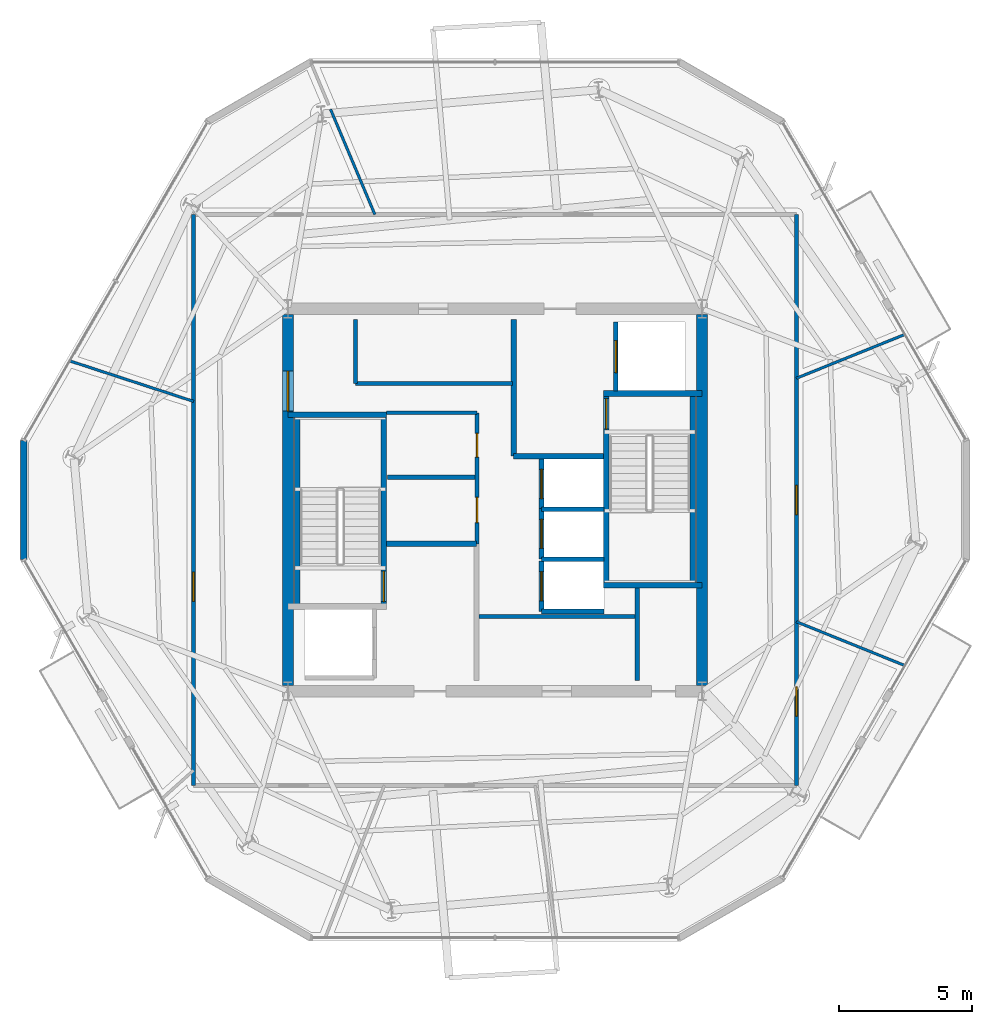
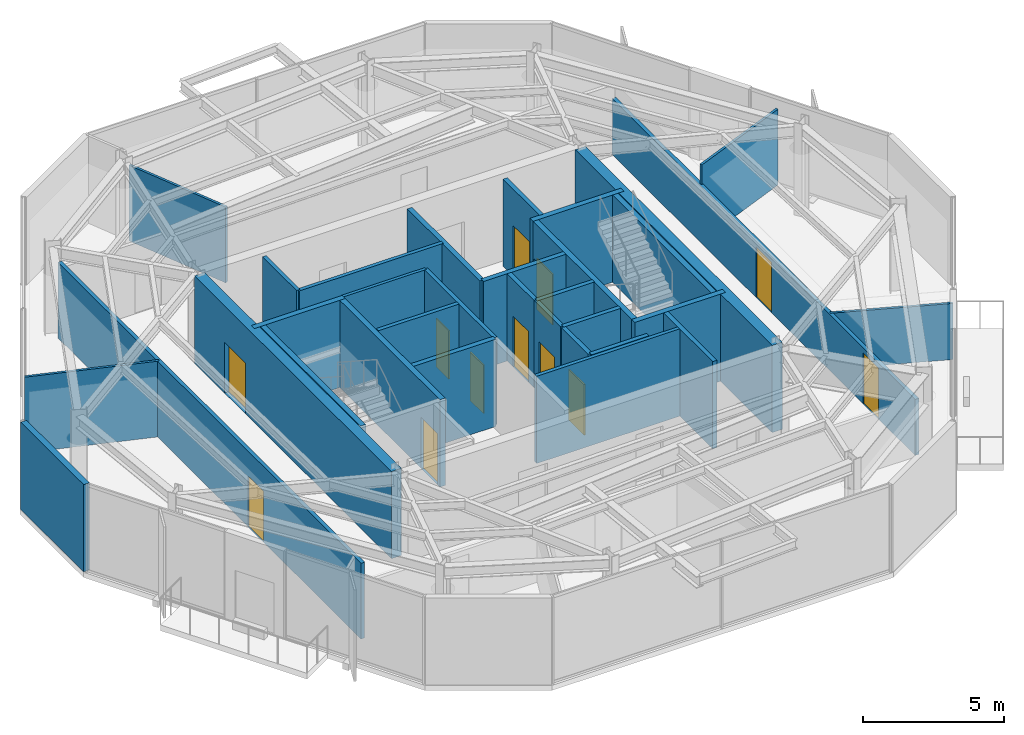
# One storey, part 6 of 11: 33 walls, 12 doors, 12 openings.
"""IFC4 building model written with IfcOpenShell, lengths in metres."""

from ifc_helpers import new_model, si_unit, direction, frame, frame_2d, origin, place, context, subcontext, project, spatial, rectangle, extrude, material, layer, layer_set, type_object, element, fill, save


model = new_model("IFC4")

# Units and contexts
model_context = context("Model", 3, precision=1e-05, world=origin(), true_north=direction((0.0, 1.0)))
body_context = subcontext(model_context, "Body", "Model", "MODEL_VIEW")
ifc_project = project(units=[si_unit("LENGTHUNIT", "METRE"), si_unit("AREAUNIT", "SQUARE_METRE"), si_unit("VOLUMEUNIT", "CUBIC_METRE"), si_unit("PLANEANGLEUNIT", "RADIAN"), si_unit("MASSUNIT", "GRAM", prefix="KILO")], contexts=[model_context])

# Site, building, storey
site_placement = place(None, origin())
site = spatial("IfcSite", under=ifc_project, at=site_placement, CompositionType="ELEMENT")
building_placement = place(site_placement, origin())
building = spatial("IfcBuilding", under=site, at=building_placement, Name="Kranzbogen Civic Tower", CompositionType="ELEMENT")
storey_placement = place(building_placement, frame((0.0, 0.0, 266.199951171875)))
storey = spatial("IfcBuildingStorey", under=building, at=storey_placement, Name="L64", CompositionType="ELEMENT", Elevation=266.199951171875)

# Walls
ifc_material_1 = material(Name="Double-Stud Acoustic Gypsum Partition")
ifc_layer_1 = layer(ifc_material_1, 0.14990234375, Name="Double-Stud Acoustic Gypsum Partition")
ifc_layer_set_1 = layer_set([ifc_layer_1], Name="Double-Stud Acoustic Gypsum Partition")
wall_type_1 = type_object("IfcWallType", Name="Acoustic Corridor and Clinical Partition 150 mm", PredefinedType="PARTITIONING", material=ifc_layer_set_1)
wall_1_placement = place(storey_placement, frame((24.39990234375, 20.610107421875, 0.0), z_axis=(0.0, 0.0, 1.0), x_axis=(1.0, 0.0, 0.0)))
element("IfcWall", 1, at=wall_1_placement, inside=storey, type_object=wall_type_1, Name="L64 records zone North wall", PredefinedType="PARTITIONING", context=body_context, shape_type="SweptSolid", body=[
    extrude(rectangle(XDim=5.900146484375, YDim=0.14990234375, at=frame_2d((2.9501953125, 0.0))), origin(), (0.0, 0.0, 1.0), 3.780029296875),
])
wall_2_placement = place(storey_placement, frame((19.75, 29.389892578125, 0.0), z_axis=(0.0, 0.0, 1.0), x_axis=(1.0, 0.0, 0.0)))
element("IfcWall", 2, at=wall_2_placement, inside=storey, type_object=wall_type_1, Name="L64 digital comms South wall", PredefinedType="PARTITIONING", context=body_context, shape_type="SweptSolid", body=[
    extrude(rectangle(XDim=5.89990234375, YDim=0.14990234375, at=frame_2d((2.949951171875, 0.0))), origin(), (0.0, 0.0, 1.0), 3.780029296875),
])
wall_3_placement = place(storey_placement, frame((19.75, 29.389892578125, 0.0), z_axis=(0.0, 0.0, 1.0), x_axis=(0.0, 1.0, 0.0)))
element("IfcWall", 3, at=wall_3_placement, inside=storey, type_object=wall_type_1, Name="L64 digital comms West wall", PredefinedType="PARTITIONING", context=body_context, shape_type="SweptSolid", body=[
    extrude(rectangle(XDim=2.41015625, YDim=0.14990234375, at=frame_2d((1.205078125, 0.0))), origin(), (0.0, 0.0, 1.0), 3.780029296875),
])

# Wall, openings, doors
wall_4_placement = place(storey_placement, frame((36.35009765625, 35.75, 0.0), z_axis=(0.0, 0.0, 1.0), x_axis=(0.0, -1.0, 0.0)))
wall_4 = element("IfcWall", 4, at=wall_4_placement, inside=storey, type_object=wall_type_1, Name="L64 corridor partition 02", PredefinedType="PARTITIONING", context=body_context, shape_type="SweptSolid", body=[
    extrude(rectangle(XDim=21.5, YDim=0.14990234375, at=frame_2d((10.75, 0.0))), origin(), (0.0, 0.0, 1.0), 2.429931640625),
])
opening_1_placement = place(wall_4_placement, frame((17.787109375, 0.0, 0.0)))
opening_1 = element("IfcOpeningElement", 5, at=opening_1_placement, cuts=wall_4, Name="Opening D-COR60", PredefinedType="OPENING", context=body_context, shape_type="SweptSolid", body=[
    extrude(rectangle(XDim=1.10009765625, YDim=2.199951171875, at=frame_2d((0.550048828125, 1.10009765625))), frame((0.0, 0.0849609375, 0.0), z_axis=(0.0, -1.0, 0.0), x_axis=(1.0, 0.0, 0.0)), (0.0, 0.0, 1.0), 0.169921875),
])
opening_2_placement = place(wall_4_placement, frame((10.199951171875, 0.0, 0.0)))
opening_2 = element("IfcOpeningElement", 6, at=opening_2_placement, cuts=wall_4, Name="Opening D-COR60", PredefinedType="OPENING", context=body_context, shape_type="SweptSolid", body=[
    extrude(rectangle(XDim=1.10009765625, YDim=2.199951171875, at=frame_2d((0.550048828125, 1.10009765625))), frame((0.0, 0.0849609375, 0.0), z_axis=(0.0, -1.0, 0.0), x_axis=(1.0, 0.0, 0.0)), (0.0, 0.0, 1.0), 0.169921875),
])
ifc_material_2 = material(Name="Oak Timber and Fire Core", Category="wood")
door_type_1 = type_object("IfcDoorType", Name="Corridor Acoustic Fire Door 1100x2200", OperationType="NOTDEFINED", PredefinedType="DOOR", material=ifc_material_2)
door_1_placement = place(opening_1_placement, origin())
door_1 = element("IfcDoor", 7, at=door_1_placement, inside=storey, type_object=door_type_1, Name="L64 Staff Tea Pantry door", OperationType="SINGLE_SWING_LEFT", OverallHeight=2.199951171875, OverallWidth=1.10009765625, PredefinedType="DOOR", context=body_context, shape_type="SweptSolid", body=[
    extrude(rectangle(XDim=1.10009765625, YDim=2.199951171875, at=frame_2d((0.550048828125, 1.10009765625))), frame((0.0, 0.02490234375, 0.0), z_axis=(0.0, -1.0, 0.0), x_axis=(1.0, 0.0, 0.0)), (0.0, 0.0, 1.0), 0.050048828125),
])
fill(opening_1, door_1)
door_2_placement = place(opening_2_placement, origin())
door_2 = element("IfcDoor", 8, at=door_2_placement, inside=storey, type_object=door_type_1, Name="L64 Hospitality Catering Kitchen door", OperationType="SINGLE_SWING_RIGHT", OverallHeight=2.199951171875, OverallWidth=1.10009765625, PredefinedType="DOOR", context=body_context, shape_type="SweptSolid", body=[
    extrude(rectangle(XDim=1.10009765625, YDim=2.199951171875, at=frame_2d((0.550048828125, 1.10009765625))), frame((0.0, 0.02490234375, 0.0), z_axis=(0.0, -1.0, 0.0), x_axis=(1.0, 0.0, 0.0)), (0.0, 0.0, 1.0), 0.050048828125),
])
fill(opening_2, door_2)

# Wall, opening, door
wall_5_placement = place(storey_placement, frame((13.64990234375, 14.25, 0.0), z_axis=(0.0, 0.0, 1.0), x_axis=(0.0, 1.0, 0.0)))
wall_5 = element("IfcWall", 9, at=wall_5_placement, inside=storey, type_object=wall_type_1, Name="L64 corridor partition 04", PredefinedType="PARTITIONING", context=body_context, shape_type="SweptSolid", body=[
    extrude(rectangle(XDim=21.5, YDim=0.14990234375, at=frame_2d((10.75, 0.0))), origin(), (0.0, 0.0, 1.0), 3.280029296875),
])
opening_3_placement = place(wall_5_placement, frame((6.93505859375, 0.0, 0.0)))
opening_3 = element("IfcOpeningElement", 10, at=opening_3_placement, cuts=wall_5, Name="Opening D-COR60", PredefinedType="OPENING", context=body_context, shape_type="SweptSolid", body=[
    extrude(rectangle(XDim=1.10009765625, YDim=2.199951171875, at=frame_2d((0.550048828125, 1.10009765625))), frame((0.0, 0.0849609375, 0.0), z_axis=(0.0, -1.0, 0.0), x_axis=(1.0, 0.0, 0.0)), (0.0, 0.0, 1.0), 0.169921875),
])
door_3_placement = place(opening_3_placement, origin())
door_3 = element("IfcDoor", 11, at=door_3_placement, inside=storey, type_object=door_type_1, Name="L64 Operations Security Control Room door", OperationType="SINGLE_SWING_RIGHT", OverallHeight=2.199951171875, OverallWidth=1.10009765625, PredefinedType="DOOR", context=body_context, shape_type="SweptSolid", body=[
    extrude(rectangle(XDim=1.10009765625, YDim=2.199951171875, at=frame_2d((0.550048828125, 1.10009765625))), frame((0.0, 0.02490234375, 0.0), z_axis=(0.0, -1.0, 0.0), x_axis=(1.0, 0.0, 0.0)), (0.0, 0.0, 1.0), 0.050048828125),
])
fill(opening_3, door_3)

# Wall
ifc_material_3 = material(Name="Insulated Metal-Stud Gypsum Partition")
ifc_layer_2 = layer(ifc_material_3, 0.125, Name="Insulated Metal-Stud Gypsum Partition")
ifc_layer_set_2 = layer_set([ifc_layer_2], Name="Insulated Metal-Stud Gypsum Partition")
wall_type_2 = type_object("IfcWallType", Name="Acoustic Inter-Room Partition 125 mm", PredefinedType="PARTITIONING", material=ifc_layer_set_2)
wall_6_placement = place(storey_placement, frame((20.919921875, 28.280029296875, 0.0), z_axis=(0.0, 0.0, 1.0), x_axis=(1.0, 0.0, 0.0)))
element("IfcWall", 12, at=wall_6_placement, inside=storey, type_object=wall_type_2, Name="L64 core auxiliary North wall", PredefinedType="PARTITIONING", context=body_context, shape_type="SweptSolid", body=[
    extrude(rectangle(XDim=3.405029296875, YDim=0.125, at=frame_2d((1.70263671875, 0.0))), origin(), (0.0, 0.0, 1.0), 3.780029296875),
])

# Wall, opening, door
ifc_material_4 = material(Name="Concrete C45/55", Category="concrete")
ifc_layer_3 = layer(ifc_material_4, 0.419921875, Name="Concrete C45/55")
ifc_layer_set_3 = layer_set([ifc_layer_3], Name="Concrete C45/55")
wall_type_3 = type_object("IfcWallType", Name="Central Core Shear Wall 420 mm", PredefinedType="SHEAR", material=ifc_layer_set_3)
wall_7_placement = place(storey_placement, frame((17.199951171875, 31.989990234375, 0.0), z_axis=(0.0, 0.0, 1.0), x_axis=(0.0, -1.0, 0.0)))
wall_7 = element("IfcWall", 13, at=wall_7_placement, inside=storey, type_object=wall_type_3, Name="L64 central core West shear wall", PredefinedType="SHEAR", context=body_context, shape_type="SweptSolid", body=[
    extrude(rectangle(XDim=13.97998046875, YDim=0.419921875, at=frame_2d((6.989990234375, 0.0))), origin(), (0.0, 0.0, 1.0), 3.780029296875),
])
opening_4_placement = place(wall_7_placement, frame((2.139892578125, 0.0, 0.0)))
opening_4 = element("IfcOpeningElement", 14, at=opening_4_placement, cuts=wall_7, Name="Opening D-DBL15", PredefinedType="OPENING", context=body_context, shape_type="SweptSolid", body=[
    extrude(rectangle(XDim=1.5, YDim=2.199951171875, at=frame_2d((0.75, 1.10009765625))), frame((0.0, 0.219970703125, 0.0), z_axis=(0.0, -1.0, 0.0), x_axis=(1.0, 0.0, 0.0)), (0.0, 0.0, 1.0), 0.43994140625),
])
ifc_material_5 = material(Name="Anodised Bronze and Glass", Category="glass")
door_type_2 = type_object("IfcDoorType", Name="Civic Lobby Double Door 1500x2200", OperationType="DOUBLE_DOOR_SINGLE_SWING", PredefinedType="DOOR", material=ifc_material_5)
door_4_placement = place(opening_4_placement, origin())
door_4 = element("IfcDoor", 15, at=door_4_placement, inside=storey, type_object=door_type_2, Name="L64 Central Lift Lobby West concourse door", OperationType="DOUBLE_DOOR_SINGLE_SWING", OverallHeight=2.199951171875, OverallWidth=1.5, PredefinedType="DOOR", context=body_context, shape_type="SweptSolid", body=[
    extrude(rectangle(XDim=1.5, YDim=2.199951171875, at=frame_2d((0.75, 1.10009765625))), frame((0.0, 0.02490234375, 0.0), z_axis=(0.0, -1.0, 0.0), x_axis=(1.0, 0.0, 0.0)), (0.0, 0.0, 1.0), 0.050048828125),
])
fill(opening_4, door_4)

# Wall
wall_8_placement = place(storey_placement, frame((32.800048828125, 18.010009765625, 0.0), z_axis=(0.0, 0.0, 1.0), x_axis=(0.0, 1.0, 0.0)))
element("IfcWall", 16, at=wall_8_placement, inside=storey, type_object=wall_type_3, Name="L64 central core East shear wall", PredefinedType="SHEAR", context=body_context, shape_type="SweptSolid", body=[
    extrude(rectangle(XDim=13.97998046875, YDim=0.419921875, at=frame_2d((6.989990234375, 0.0))), origin(), (0.0, 0.0, 1.0), 3.780029296875),
])

# Wall, opening, door
ifc_layer_4 = layer(ifc_material_4, 0.219970703125, Name="Concrete C45/55")
ifc_layer_set_4 = layer_set([ifc_layer_4], Name="Concrete C45/55")
wall_type_4 = type_object("IfcWallType", Name="Core Internal Stair Structural Wall 220 mm", PredefinedType="SOLIDWALL", material=ifc_layer_set_4)
wall_9_placement = place(storey_placement, frame((20.81005859375, 20.989990234375, 0.0), z_axis=(0.0, 0.0, 1.0), x_axis=(0.0, 1.0, 0.0)))
wall_9 = element("IfcWall", 17, at=wall_9_placement, inside=storey, type_object=wall_type_4, Name="L64 ST-T1 East structural stair wall", PredefinedType="SOLIDWALL", context=body_context, shape_type="SweptSolid", body=[
    extrude(rectangle(XDim=7.219970703125, YDim=0.219970703125, at=frame_2d((3.60986328125, 0.0))), origin(), (0.0, 0.0, 1.0), 3.780029296875),
])
opening_5_placement = place(wall_9_placement, frame((0.179931640625, 0.0, 0.0)))
opening_5 = element("IfcOpeningElement", 18, at=opening_5_placement, cuts=wall_9, Name="Opening D-ST90", PredefinedType="OPENING", context=body_context, shape_type="SweptSolid", body=[
    extrude(rectangle(XDim=1.14990234375, YDim=2.199951171875, at=frame_2d((0.574951171875, 1.10009765625))), frame((0.0, 0.1201171875, 0.0), z_axis=(0.0, -1.0, 0.0), x_axis=(1.0, 0.0, 0.0)), (0.0, 0.0, 1.0), 0.239990234375),
])
ifc_material_6 = material(Name="Steel S355", Category="steel")
door_type_3 = type_object("IfcDoorType", Name="Pressurized Stair and Lobby Fire Door 1150x2200", OperationType="NOTDEFINED", PredefinedType="DOOR", material=ifc_material_6)
door_5_placement = place(opening_5_placement, origin())
door_5 = element("IfcDoor", 19, at=door_5_placement, inside=storey, type_object=door_type_3, Name="L64 Stair ST-T1 fire door", OperationType="SINGLE_SWING_LEFT", OverallHeight=2.199951171875, OverallWidth=1.14990234375, PredefinedType="DOOR", context=body_context, shape_type="SweptSolid", body=[
    extrude(rectangle(XDim=1.14990234375, YDim=2.199951171875, at=frame_2d((0.574951171875, 1.10009765625))), frame((0.0, 0.02490234375, 0.0), z_axis=(0.0, -1.0, 0.0), x_axis=(1.0, 0.0, 0.0)), (0.0, 0.0, 1.0), 0.050048828125),
])
fill(opening_5, door_5)

# Walls
wall_10_placement = place(storey_placement, frame((17.199951171875, 28.2099609375, 0.0), z_axis=(0.0, 0.0, 1.0), x_axis=(1.0, 0.0, 0.0)))
element("IfcWall", 20, at=wall_10_placement, inside=storey, type_object=wall_type_4, Name="L64 ST-T1 North structural stair wall", PredefinedType="SOLIDWALL", context=body_context, shape_type="SweptSolid", body=[
    extrude(rectangle(XDim=3.719970703125, YDim=0.219970703125, at=frame_2d((1.85986328125, 0.0))), origin(), (0.0, 0.0, 1.0), 3.780029296875),
])
wall_11_placement = place(storey_placement, frame((17.554931640625, 28.2099609375, 0.0), z_axis=(0.0, 0.0, 1.0), x_axis=(0.0, -1.0, 0.0)))
element("IfcWall", 21, at=wall_11_placement, inside=storey, type_object=wall_type_4, Name="L64 ST-T1 West structural stair wall", PredefinedType="SOLIDWALL", context=body_context, shape_type="SweptSolid", body=[
    extrude(rectangle(XDim=7.219970703125, YDim=0.219970703125, at=frame_2d((3.60986328125, 0.0))), origin(), (0.0, 0.0, 1.0), 3.780029296875),
])

# Wall, opening, door
wall_12_placement = place(storey_placement, frame((29.18994140625, 21.7900390625, 0.0), z_axis=(0.0, 0.0, 1.0), x_axis=(0.0, 1.0, 0.0)))
wall_12 = element("IfcWall", 22, at=wall_12_placement, inside=storey, type_object=wall_type_4, Name="L64 ST-T2 West structural stair wall", PredefinedType="SOLIDWALL", context=body_context, shape_type="SweptSolid", body=[
    extrude(rectangle(XDim=7.219970703125, YDim=0.219970703125, at=frame_2d((3.60986328125, 0.0))), origin(), (0.0, 0.0, 1.0), 3.780029296875),
])
opening_6_placement = place(wall_12_placement, frame((5.8798828125, 0.0, 0.0)))
opening_6 = element("IfcOpeningElement", 23, at=opening_6_placement, cuts=wall_12, Name="Opening D-ST90", PredefinedType="OPENING", context=body_context, shape_type="SweptSolid", body=[
    extrude(rectangle(XDim=1.14990234375, YDim=2.199951171875, at=frame_2d((0.574951171875, 1.10009765625))), frame((0.0, 0.1201171875, 0.0), z_axis=(0.0, -1.0, 0.0), x_axis=(1.0, 0.0, 0.0)), (0.0, 0.0, 1.0), 0.239990234375),
])
door_6_placement = place(opening_6_placement, origin())
door_6 = element("IfcDoor", 24, at=door_6_placement, inside=storey, type_object=door_type_3, Name="L64 Stair ST-T2 fire door", OperationType="SINGLE_SWING_RIGHT", OverallHeight=2.199951171875, OverallWidth=1.14990234375, PredefinedType="DOOR", context=body_context, shape_type="SweptSolid", body=[
    extrude(rectangle(XDim=1.14990234375, YDim=2.199951171875, at=frame_2d((0.574951171875, 1.10009765625))), frame((0.0, 0.02490234375, 0.0), z_axis=(0.0, -1.0, 0.0), x_axis=(1.0, 0.0, 0.0)), (0.0, 0.0, 1.0), 0.050048828125),
])
fill(opening_6, door_6)

# Walls
for number, where, z_axis, x_axis, name in (
    (25, (29.080078125, 21.7900390625, 0.0), (0.0, 0.0, 1.0), (1.0, 0.0, 0.0), "L64 ST-T2 South structural stair wall"),
    (26, (29.080078125, 29.010009765625, 0.0), (0.0, 0.0, 1.0), (1.0, 0.0, 0.0), "L64 ST-T2 North structural stair wall"),
):
    element("IfcWall", number, at=place(storey_placement, frame(where, z_axis=z_axis, x_axis=x_axis)), inside=storey, type_object=wall_type_4, Name=name, PredefinedType="SOLIDWALL", context=body_context, shape_type="SweptSolid", body=[
        extrude(rectangle(XDim=3.719970703125, YDim=0.219970703125, at=frame_2d((1.85986328125, 0.0))), origin(), (0.0, 0.0, 1.0), 3.780029296875),
    ])
wall_13_placement = place(storey_placement, frame((32.445068359375, 29.010009765625, 0.0), z_axis=(0.0, 0.0, 1.0), x_axis=(0.0, -1.0, 0.0)))
element("IfcWall", 27, at=wall_13_placement, inside=storey, type_object=wall_type_4, Name="L64 ST-T2 East structural stair wall", PredefinedType="SOLIDWALL", context=body_context, shape_type="SweptSolid", body=[
    extrude(rectangle(XDim=7.219970703125, YDim=0.219970703125, at=frame_2d((3.60986328125, 0.0))), origin(), (0.0, 0.0, 1.0), 3.780029296875),
])
ifc_material_7 = material(Name="Demountable Aluminium and Gypsum Partition", Category="aluminium")
ifc_layer_5 = layer(ifc_material_7, 0.10009765625, Name="Demountable Aluminium and Gypsum Partition")
ifc_layer_set_5 = layer_set([ifc_layer_5], Name="Demountable Aluminium and Gypsum Partition")
wall_type_5 = type_object("IfcWallType", Name="Demountable Office Partition 100 mm", PredefinedType="MOVABLE", material=ifc_layer_set_5)
wall_14_placement = place(storey_placement, frame((20.47509765625, 35.75, 0.0), z_axis=(0.0, 0.0, 1.0), x_axis=(-0.38806461695, 0.921632167989, 0.0)))
element("IfcWall", 28, at=wall_14_placement, inside=storey, type_object=wall_type_5, Name="L64 radial room partition 01 part 1", PredefinedType="MOVABLE", context=body_context, shape_type="SweptSolid", body=[
    extrude(rectangle(XDim=4.298828125, YDim=0.10009765625, at=frame_2d((2.1494140625, 0.0))), origin(), (0.0, 0.0, 1.0), 3.280029296875),
])
wall_15_placement = place(storey_placement, frame((13.64990234375, 28.712890625, 0.0), z_axis=(0.0, 0.0, 1.0), x_axis=(-0.950465262527, 0.310830797589, 0.0)))
element("IfcWall", 29, at=wall_15_placement, inside=storey, type_object=wall_type_5, Name="L64 radial room partition 02", PredefinedType="MOVABLE", context=body_context, shape_type="SweptSolid", body=[
    extrude(rectangle(XDim=4.89013671875, YDim=0.10009765625, at=frame_2d((2.445068359375, 0.0))), origin(), (0.0, 0.0, 1.0), 3.280029296875),
])
wall_16_placement = place(storey_placement, frame((36.35009765625, 20.4150390625, 0.0), z_axis=(0.0, 0.0, 1.0), x_axis=(0.927229589725, -0.374493375026, 0.0)))
element("IfcWall", 30, at=wall_16_placement, inside=storey, type_object=wall_type_5, Name="L64 radial room partition 05", PredefinedType="MOVABLE", context=body_context, shape_type="SweptSolid", body=[
    extrude(rectangle(XDim=4.392578125, YDim=0.10009765625, at=frame_2d((2.1962890625, 0.0))), origin(), (0.0, 0.0, 1.0), 2.429931640625),
])
wall_17_placement = place(storey_placement, frame((36.35009765625, 29.5849609375, 0.0), z_axis=(0.0, 0.0, 1.0), x_axis=(0.927229589725, 0.374493375026, 0.0)))
element("IfcWall", 31, at=wall_17_placement, inside=storey, type_object=wall_type_5, Name="L64 radial room partition 06", PredefinedType="MOVABLE", context=body_context, shape_type="SweptSolid", body=[
    extrude(rectangle(XDim=4.392578125, YDim=0.10009765625, at=frame_2d((2.1962890625, 0.0))), origin(), (0.0, 0.0, 1.0), 3.280029296875),
])
ifc_material_8 = material(Name="Gypsum Fireboard and Concrete Block", Category="concrete")
ifc_layer_6 = layer(ifc_material_8, 0.199951171875, Name="Gypsum Fireboard and Concrete Block")
ifc_layer_set_6 = layer_set([ifc_layer_6], Name="Gypsum Fireboard and Concrete Block")
wall_type_6 = type_object("IfcWallType", Name="Fire-Rated Exit Passageway and Stair Wall 200 mm", PredefinedType="PARTITIONING", material=ifc_layer_set_6)
wall_18_placement = place(storey_placement, frame((20.919921875, 23.35009765625, 0.0), z_axis=(0.0, 0.0, 1.0), x_axis=(1.0, 0.0, 0.0)))
element("IfcWall", 32, at=wall_18_placement, inside=storey, type_object=wall_type_6, Name="L64 West firefighting lobby North wall", PredefinedType="PARTITIONING", context=body_context, shape_type="SweptSolid", body=[
    extrude(rectangle(XDim=3.380126953125, YDim=0.199951171875, at=frame_2d((1.68994140625, 0.0))), origin(), (0.0, 0.0, 1.0), 3.780029296875),
])
wall_19_placement = place(storey_placement, frame((25.699951171875, 26.64990234375, 0.0), z_axis=(0.0, 0.0, 1.0), x_axis=(0.0, 1.0, 0.0)))
element("IfcWall", 33, at=wall_19_placement, inside=storey, type_object=wall_type_6, Name="L64 East firefighting lobby West wall", PredefinedType="PARTITIONING", context=body_context, shape_type="SweptSolid", body=[
    extrude(rectangle(XDim=5.150146484375, YDim=0.199951171875, at=frame_2d((2.5751953125, 0.0))), origin(), (0.0, 0.0, 1.0), 3.780029296875),
])
wall_20_placement = place(storey_placement, frame((25.699951171875, 26.64990234375, 0.0), z_axis=(0.0, 0.0, 1.0), x_axis=(1.0, 0.0, 0.0)))
element("IfcWall", 34, at=wall_20_placement, inside=storey, type_object=wall_type_6, Name="L64 East firefighting lobby South wall", PredefinedType="PARTITIONING", context=body_context, shape_type="SweptSolid", body=[
    extrude(rectangle(XDim=3.380126953125, YDim=0.199951171875, at=frame_2d((1.68994140625, 0.0))), origin(), (0.0, 0.0, 1.0), 3.780029296875),
])
ifc_material_9 = material(Name="Gypsum Fireboard Shaftliner")
ifc_layer_7 = layer(ifc_material_9, 0.175048828125, Name="Gypsum Fireboard Shaftliner")
ifc_layer_set_7 = layer_set([ifc_layer_7], Name="Gypsum Fireboard Shaftliner")
wall_type_7 = type_object("IfcWallType", Name="Fire-Rated Lift and Service Shaft Wall 175 mm", PredefinedType="PARTITIONING", material=ifc_layer_set_7)
wall_21_placement = place(storey_placement, frame((30.35009765625, 18.199951171875, 0.0), z_axis=(0.0, 0.0, 1.0), x_axis=(0.0, 1.0, 0.0)))
element("IfcWall", 35, at=wall_21_placement, inside=storey, type_object=wall_type_7, Name="L64 East core riser West wall", PredefinedType="PARTITIONING", context=body_context, shape_type="SweptSolid", body=[
    extrude(rectangle(XDim=3.47998046875, YDim=0.175048828125, at=frame_2d((1.739990234375, 0.0))), origin(), (0.0, 0.0, 1.0), 3.780029296875),
])

# Wall, opening, door
wall_22_placement = place(storey_placement, frame((26.75, 20.800048828125, 0.0), z_axis=(0.0, 0.0, 1.0), x_axis=(0.0, 1.0, 0.0)))
wall_22 = element("IfcWall", 36, at=wall_22_placement, inside=storey, type_object=wall_type_7, Name="L64 lift HP-01 landing wall", PredefinedType="PARTITIONING", context=body_context, shape_type="SweptSolid", body=[
    extrude(rectangle(XDim=1.89990234375, YDim=0.175048828125, at=frame_2d((0.949951171875, 0.0))), origin(), (0.0, 0.0, 1.0), 3.780029296875),
])
opening_7_placement = place(wall_22_placement, frame((0.39990234375, 0.0, 0.0)))
opening_7 = element("IfcOpeningElement", 37, at=opening_7_placement, cuts=wall_22, Name="Opening LD-HP-01", PredefinedType="OPENING", context=body_context, shape_type="SweptSolid", body=[
    extrude(rectangle(XDim=1.10009765625, YDim=2.199951171875, at=frame_2d((0.550048828125, 1.10009765625))), frame((0.0, 0.09765625, 0.0), z_axis=(0.0, -1.0, 0.0), x_axis=(1.0, 0.0, 0.0)), (0.0, 0.0, 1.0), 0.195068359375),
])
ifc_material_10 = material(Name="Pale Anodised Aluminium", Category="aluminium")
door_type_4 = type_object("IfcDoorType", Name="Passenger Lift Sliding Landing Door 1100x2200", OperationType="DOUBLE_DOOR_SLIDING", PredefinedType="DOOR", material=ifc_material_10)
door_7_placement = place(opening_7_placement, origin())
door_7 = element("IfcDoor", 38, at=door_7_placement, inside=storey, type_object=door_type_4, Name="L64 lift HP-01 sliding landing door", OperationType="DOUBLE_DOOR_SLIDING", OverallHeight=2.199951171875, OverallWidth=1.10009765625, PredefinedType="DOOR", context=body_context, shape_type="SweptSolid", body=[
    extrude(rectangle(XDim=1.10009765625, YDim=2.199951171875, at=frame_2d((0.550048828125, 1.10009765625))), frame((0.0, 0.02490234375, 0.0), z_axis=(0.0, -1.0, 0.0), x_axis=(1.0, 0.0, 0.0)), (0.0, 0.0, 1.0), 0.050048828125),
])
fill(opening_7, door_7)

# Wall
wall_23_placement = place(storey_placement, frame((26.75, 20.800048828125, 0.0), z_axis=(0.0, 0.0, 1.0), x_axis=(1.0, 0.0, 0.0)))
element("IfcWall", 39, at=wall_23_placement, inside=storey, type_object=wall_type_7, Name="L64 lift HP-01 side wall", PredefinedType="PARTITIONING", context=body_context, shape_type="SweptSolid", body=[
    extrude(rectangle(XDim=2.35009765625, YDim=0.175048828125, at=frame_2d((1.175048828125, 0.0))), origin(), (0.0, 0.0, 1.0), 3.780029296875),
])

# Wall, opening, door
wall_24_placement = place(storey_placement, frame((26.75, 22.77490234375, 0.0), z_axis=(0.0, 0.0, 1.0), x_axis=(0.0, 1.0, 0.0)))
wall_24 = element("IfcWall", 40, at=wall_24_placement, inside=storey, type_object=wall_type_7, Name="L64 lift HP-02 landing wall", PredefinedType="PARTITIONING", context=body_context, shape_type="SweptSolid", body=[
    extrude(rectangle(XDim=1.900146484375, YDim=0.175048828125, at=frame_2d((0.9501953125, 0.0))), origin(), (0.0, 0.0, 1.0), 3.780029296875),
])
opening_8_placement = place(wall_24_placement, frame((0.39990234375, 0.0, 0.0)))
opening_8 = element("IfcOpeningElement", 41, at=opening_8_placement, cuts=wall_24, Name="Opening LD-HP-02", PredefinedType="OPENING", context=body_context, shape_type="SweptSolid", body=[
    extrude(rectangle(XDim=1.10009765625, YDim=2.199951171875, at=frame_2d((0.550048828125, 1.10009765625))), frame((0.0, 0.09765625, 0.0), z_axis=(0.0, -1.0, 0.0), x_axis=(1.0, 0.0, 0.0)), (0.0, 0.0, 1.0), 0.195068359375),
])
door_8_placement = place(opening_8_placement, origin())
door_8 = element("IfcDoor", 42, at=door_8_placement, inside=storey, type_object=door_type_4, Name="L64 lift HP-02 sliding landing door", OperationType="DOUBLE_DOOR_SLIDING", OverallHeight=2.199951171875, OverallWidth=1.10009765625, PredefinedType="DOOR", context=body_context, shape_type="SweptSolid", body=[
    extrude(rectangle(XDim=1.10009765625, YDim=2.199951171875, at=frame_2d((0.550048828125, 1.10009765625))), frame((0.0, 0.02490234375, 0.0), z_axis=(0.0, -1.0, 0.0), x_axis=(1.0, 0.0, 0.0)), (0.0, 0.0, 1.0), 0.050048828125),
])
fill(opening_8, door_8)

# Wall
wall_25_placement = place(storey_placement, frame((26.75, 22.77490234375, 0.0), z_axis=(0.0, 0.0, 1.0), x_axis=(1.0, 0.0, 0.0)))
element("IfcWall", 43, at=wall_25_placement, inside=storey, type_object=wall_type_7, Name="L64 lift HP-02 side wall", PredefinedType="PARTITIONING", context=body_context, shape_type="SweptSolid", body=[
    extrude(rectangle(XDim=2.35009765625, YDim=0.175048828125, at=frame_2d((1.175048828125, 0.0))), origin(), (0.0, 0.0, 1.0), 3.780029296875),
])

# Wall, opening, door
wall_26_placement = place(storey_placement, frame((26.75, 24.64990234375, 0.0), z_axis=(0.0, 0.0, 1.0), x_axis=(0.0, 1.0, 0.0)))
wall_26 = element("IfcWall", 44, at=wall_26_placement, inside=storey, type_object=wall_type_7, Name="L64 lift HP-03 landing wall", PredefinedType="PARTITIONING", context=body_context, shape_type="SweptSolid", body=[
    extrude(rectangle(XDim=1.900146484375, YDim=0.175048828125, at=frame_2d((0.9501953125, 0.0))), origin(), (0.0, 0.0, 1.0), 3.780029296875),
])
opening_9_placement = place(wall_26_placement, frame((0.39990234375, 0.0, 0.0)))
opening_9 = element("IfcOpeningElement", 45, at=opening_9_placement, cuts=wall_26, Name="Opening LD-HP-03", PredefinedType="OPENING", context=body_context, shape_type="SweptSolid", body=[
    extrude(rectangle(XDim=1.10009765625, YDim=2.199951171875, at=frame_2d((0.550048828125, 1.10009765625))), frame((0.0, 0.09765625, 0.0), z_axis=(0.0, -1.0, 0.0), x_axis=(1.0, 0.0, 0.0)), (0.0, 0.0, 1.0), 0.195068359375),
])
door_9_placement = place(opening_9_placement, origin())
door_9 = element("IfcDoor", 46, at=door_9_placement, inside=storey, type_object=door_type_4, Name="L64 lift HP-03 sliding landing door", OperationType="DOUBLE_DOOR_SLIDING", OverallHeight=2.199951171875, OverallWidth=1.10009765625, PredefinedType="DOOR", context=body_context, shape_type="SweptSolid", body=[
    extrude(rectangle(XDim=1.10009765625, YDim=2.199951171875, at=frame_2d((0.550048828125, 1.10009765625))), frame((0.0, 0.02490234375, 0.0), z_axis=(0.0, -1.0, 0.0), x_axis=(1.0, 0.0, 0.0)), (0.0, 0.0, 1.0), 0.050048828125),
])
fill(opening_9, door_9)

# Wall
wall_27_placement = place(storey_placement, frame((26.75, 24.64990234375, 0.0), z_axis=(0.0, 0.0, 1.0), x_axis=(1.0, 0.0, 0.0)))
element("IfcWall", 47, at=wall_27_placement, inside=storey, type_object=wall_type_7, Name="L64 lift HP-03 side wall", PredefinedType="PARTITIONING", context=body_context, shape_type="SweptSolid", body=[
    extrude(rectangle(XDim=2.35009765625, YDim=0.175048828125, at=frame_2d((1.175048828125, 0.0))), origin(), (0.0, 0.0, 1.0), 3.780029296875),
])

# Wall, opening, door
wall_28_placement = place(storey_placement, frame((29.550048828125, 29.10009765625, 0.0), z_axis=(0.0, 0.0, 1.0), x_axis=(0.0, 1.0, 0.0)))
wall_28 = element("IfcWall", 48, at=wall_28_placement, inside=storey, type_object=wall_type_7, Name="L64 lift FF-02 landing wall", PredefinedType="PARTITIONING", context=body_context, shape_type="SweptSolid", body=[
    extrude(rectangle(XDim=2.599853515625, YDim=0.175048828125, at=frame_2d((1.2998046875, 0.0))), origin(), (0.0, 0.0, 1.0), 3.780029296875),
])
opening_10_placement = place(wall_28_placement, frame((0.699951171875, 0.0, 0.0)))
opening_10 = element("IfcOpeningElement", 49, at=opening_10_placement, cuts=wall_28, Name="Opening LD-FF-02", PredefinedType="OPENING", context=body_context, shape_type="SweptSolid", body=[
    extrude(rectangle(XDim=1.199951171875, YDim=2.199951171875, at=frame_2d((0.60009765625, 1.10009765625))), frame((0.0, 0.09765625, 0.0), z_axis=(0.0, -1.0, 0.0), x_axis=(1.0, 0.0, 0.0)), (0.0, 0.0, 1.0), 0.195068359375),
])
door_type_5 = type_object("IfcDoorType", Name="Firefighting and Stretcher Lift Sliding Landing Door 1200x2200", OperationType="DOUBLE_DOOR_SLIDING", PredefinedType="DOOR", material=ifc_material_10)
door_10_placement = place(opening_10_placement, origin())
door_10 = element("IfcDoor", 50, at=door_10_placement, inside=storey, type_object=door_type_5, Name="L64 lift FF-02 sliding landing door", OperationType="DOUBLE_DOOR_SLIDING", OverallHeight=2.199951171875, OverallWidth=1.199951171875, PredefinedType="DOOR", context=body_context, shape_type="SweptSolid", body=[
    extrude(rectangle(XDim=1.199951171875, YDim=2.199951171875, at=frame_2d((0.60009765625, 1.10009765625))), frame((0.0, 0.02490234375, 0.0), z_axis=(0.0, -1.0, 0.0), x_axis=(1.0, 0.0, 0.0)), (0.0, 0.0, 1.0), 0.050048828125),
])
fill(opening_10, door_10)

# Wall
ifc_layer_8 = layer(ifc_material_10, 0.239990234375, Name="Pale Anodised Aluminium")
ifc_layer_set_8 = layer_set([ifc_layer_8], Name="Pale Anodised Aluminium")
wall_type_8 = type_object("IfcWallType", Name="Insulated Aluminium Facade Portal Wall 240 mm", PredefinedType="STANDARD", material=ifc_layer_set_8)
wall_29_placement = place(storey_placement, frame((7.2509765625, 27.23291015625, 0.0), z_axis=(0.0, 0.0, 1.0), x_axis=(0.0, -1.0, 0.0)))
element("IfcWall", 51, at=wall_29_placement, inside=storey, type_object=wall_type_8, Name="L64 chamfered corner facade spandrel 2", PredefinedType="STANDARD", context=body_context, shape_type="SweptSolid", body=[
    extrude(rectangle(XDim=4.4658203125, YDim=0.239990234375, at=frame_2d((2.23291015625, 0.0))), origin(), (0.0, 0.0, 1.0), 3.780029296875),
])

# Wall, openings, doors
ifc_material_11 = material(Name="Moisture-Resistant Gypsum Assembly")
ifc_layer_9 = layer(ifc_material_11, 0.159912109375, Name="Moisture-Resistant Gypsum Assembly")
ifc_layer_set_9 = layer_set([ifc_layer_9], Name="Moisture-Resistant Gypsum Assembly")
wall_type_9 = type_object("IfcWallType", Name="Sanitary and Plumbing Wet Wall 160 mm", PredefinedType="PLUMBINGWALL", material=ifc_layer_set_9)
wall_30_placement = place(storey_placement, frame((24.324951171875, 23.35009765625, 0.0), z_axis=(0.0, 0.0, 1.0), x_axis=(0.0, 1.0, 0.0)))
wall_30 = element("IfcWall", 52, at=wall_30_placement, inside=storey, type_object=wall_type_9, Name="L64 core auxiliary East wall", PredefinedType="PLUMBINGWALL", context=body_context, shape_type="SweptSolid", body=[
    extrude(rectangle(XDim=4.929931640625, YDim=0.159912109375, at=frame_2d((2.46484375, 0.0))), origin(), (0.0, 0.0, 1.0), 3.780029296875),
])
opening_11_placement = place(wall_30_placement, frame((0.800048828125, 0.0, 0.0)))
opening_11 = element("IfcOpeningElement", 53, at=opening_11_placement, cuts=wall_30, Name="Opening D-AWC95", PredefinedType="OPENING", context=body_context, shape_type="SweptSolid", body=[
    extrude(rectangle(XDim=0.949951171875, YDim=2.10009765625, at=frame_2d((0.47509765625, 1.050048828125))), frame((0.0, 0.08984375, 0.0), z_axis=(0.0, -1.0, 0.0), x_axis=(1.0, 0.0, 0.0)), (0.0, 0.0, 1.0), 0.179931640625),
])
opening_12_placement = place(wall_30_placement, frame((3.260009765625, 0.0, 0.0)))
opening_12 = element("IfcOpeningElement", 54, at=opening_12_placement, cuts=wall_30, Name="Opening D-WC90", PredefinedType="OPENING", context=body_context, shape_type="SweptSolid", body=[
    extrude(rectangle(XDim=0.89990234375, YDim=2.10009765625, at=frame_2d((0.449951171875, 1.050048828125))), frame((0.0, 0.08984375, 0.0), z_axis=(0.0, -1.0, 0.0), x_axis=(1.0, 0.0, 0.0)), (0.0, 0.0, 1.0), 0.179931640625),
])
ifc_material_12 = material(Name="Moisture-Resistant Laminate")
door_type_6 = type_object("IfcDoorType", Name="Accessible Restroom Door 950x2100", OperationType="NOTDEFINED", PredefinedType="DOOR", material=ifc_material_12)
door_11_placement = place(opening_11_placement, origin())
door_11 = element("IfcDoor", 55, at=door_11_placement, inside=storey, type_object=door_type_6, Name="L64 Accessible Restroom door", OperationType="SINGLE_SWING_LEFT", OverallHeight=2.10009765625, OverallWidth=0.949951171875, PredefinedType="DOOR", context=body_context, shape_type="SweptSolid", body=[
    extrude(rectangle(XDim=0.949951171875, YDim=2.10009765625, at=frame_2d((0.47509765625, 1.050048828125))), frame((0.0, 0.02490234375, 0.0), z_axis=(0.0, -1.0, 0.0), x_axis=(1.0, 0.0, 0.0)), (0.0, 0.0, 1.0), 0.050048828125),
])
fill(opening_11, door_11)
door_type_7 = type_object("IfcDoorType", Name="Standard Restroom and Store Door 900x2100", OperationType="NOTDEFINED", PredefinedType="DOOR", material=ifc_material_12)
door_12_placement = place(opening_12_placement, origin())
door_12 = element("IfcDoor", 56, at=door_12_placement, inside=storey, type_object=door_type_7, Name="L64 Staff Restroom door", OperationType="SINGLE_SWING_RIGHT", OverallHeight=2.10009765625, OverallWidth=0.89990234375, PredefinedType="DOOR", context=body_context, shape_type="SweptSolid", body=[
    extrude(rectangle(XDim=0.89990234375, YDim=2.10009765625, at=frame_2d((0.449951171875, 1.050048828125))), frame((0.0, 0.02490234375, 0.0), z_axis=(0.0, -1.0, 0.0), x_axis=(1.0, 0.0, 0.0)), (0.0, 0.0, 1.0), 0.050048828125),
])
fill(opening_12, door_12)

# Wall
wall_31_placement = place(storey_placement, frame((20.949951171875, 25.860107421875, 0.0), z_axis=(0.0, 0.0, 1.0), x_axis=(1.0, 0.0, 0.0)))
element("IfcWall", 57, at=wall_31_placement, inside=storey, type_object=wall_type_9, Name="L64 core auxiliary partition 1", PredefinedType="PLUMBINGWALL", context=body_context, shape_type="SweptSolid", body=[
    extrude(rectangle(XDim=3.300048828125, YDim=0.159912109375, at=frame_2d((1.64990234375, 0.0))), origin(), (0.0, 0.0, 1.0), 3.780029296875),
])

save(model, "model.ifc")
